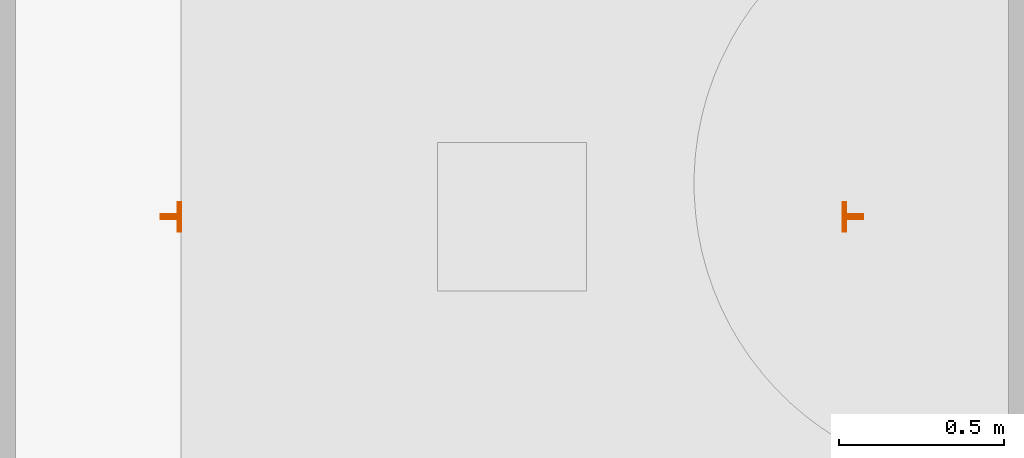
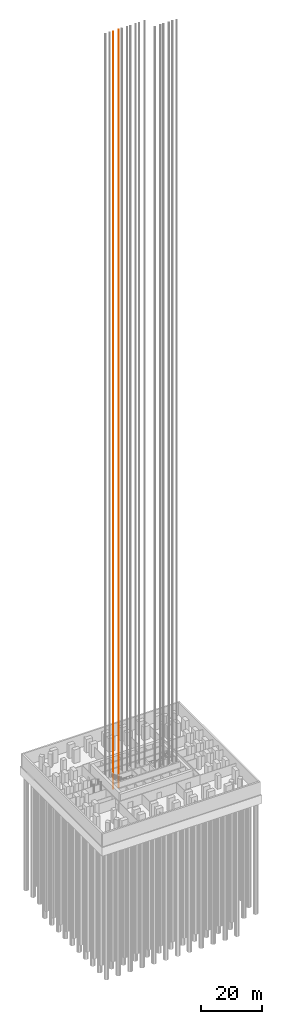
# One storey, part 10 of 17: 1 proxy.
"""IFC4 building model written with IfcOpenShell, lengths in metres."""

import ifcopenshell
import ifcopenshell.guid

model = None  # the IFC model being written
_history = None  # IfcOwnerHistory: only IFC2X3 demands one
_inside = {}  # id of a spatial element -> (the spatial element, [elements in it])
_under = {}  # id of a project, library or spatial element -> (it, [spatial elements below it])
_declared = {}  # id of a project -> (the project, [libraries it declares])
_typed = {}  # id of a type object -> (the type object, [elements of that type])
_made_of = {}  # id of a material, layer set ... -> (it, [elements and type objects made of it])


def new_model(schema):
    """Start an empty IFC model of exactly this schema.

    Asked for "IFC4X3", IfcOpenShell would pick the latest addendum, in which some entities
    have other attributes; the version numbers below select the first issue.
    IFC2X3 requires an IfcOwnerHistory on every rooted entity: one is made here for all.
    """
    global model, _history
    if schema == "IFC4X3":
        model = ifcopenshell.file(schema_version=(4, 3, 0, 0))
    else:
        model = ifcopenshell.file(schema=schema)
    _inside.clear()
    _under.clear()
    _declared.clear()
    _typed.clear()
    _made_of.clear()
    _history = None
    if model.schema == "IFC2X3":
        org = make("IfcOrganization", Name="unknown")
        user = make(
            "IfcPersonAndOrganization",
            ThePerson=make("IfcPerson", FamilyName="unknown"),
            TheOrganization=org,
        )
        app = make(
            "IfcApplication",
            ApplicationDeveloper=org,
            Version="unknown",
            ApplicationFullName="unknown",
            ApplicationIdentifier="unknown",
        )
        _history = make(
            "IfcOwnerHistory",
            OwningUser=user,
            OwningApplication=app,
            ChangeAction="ADDED",
            CreationDate=0,
        )
    return model


def make(cls, **values):
    """One entity of the class cls with the attributes given. An attribute that is None is left unset."""
    return model.create_entity(
        cls, **{name: value for name, value in values.items() if value is not None}
    )


def rooted(cls, **values):
    """An entity with a GlobalId (a new one), such as an element, a storey or a relation."""
    return make(cls, GlobalId=ifcopenshell.guid.new(), OwnerHistory=_history, **values)


def si_unit(unit_type, name, prefix=None):
    """IfcSIUnit, for example si_unit("LENGTHUNIT", "METRE", prefix="MILLI")."""
    return make("IfcSIUnit", UnitType=unit_type, Prefix=prefix, Name=name)


def assignment(units):
    """IfcUnitAssignment: the units of a project."""
    return None if units is None else make("IfcUnitAssignment", Units=units)


def point(xyz):
    """IfcCartesianPoint."""
    return None if xyz is None else make("IfcCartesianPoint", Coordinates=xyz)


def direction(xyz):
    """IfcDirection."""
    return None if xyz is None else make("IfcDirection", DirectionRatios=xyz)


def frame(location, z_axis=None, x_axis=None):
    """IfcAxis2Placement3D, a coordinate frame: its origin and axes. An axis left out is left unset."""
    return make(
        "IfcAxis2Placement3D",
        Location=point(location),
        Axis=direction(z_axis),
        RefDirection=direction(x_axis),
    )


def frame_2d(location, x_axis=None):
    """IfcAxis2Placement2D, a coordinate frame in the plane: its origin and x axis."""
    return make(
        "IfcAxis2Placement2D", Location=point(location), RefDirection=direction(x_axis)
    )


def origin():
    """The frame at (0, 0, 0) with its axes left unset."""
    return frame((0.0, 0.0, 0.0))


def origin_2d():
    """The frame at (0, 0) in the plane with its x axis left unset."""
    return frame_2d((0.0, 0.0))


def place(relative_to, where):
    """IfcLocalPlacement: puts the frame where relative to a parent placement (None: the world)."""
    return make(
        "IfcLocalPlacement", PlacementRelTo=relative_to, RelativePlacement=where
    )


def context(
    kind, dimensions, precision=None, world=None, true_north=None, identifier=None
):
    """IfcGeometricRepresentationContext, for example the 3D "Model" context."""
    return make(
        "IfcGeometricRepresentationContext",
        ContextIdentifier=identifier,
        ContextType=kind,
        CoordinateSpaceDimension=dimensions,
        Precision=precision,
        WorldCoordinateSystem=world,
        TrueNorth=true_north,
    )


def subcontext(parent, identifier, kind, view, scale=None):
    """IfcGeometricRepresentationSubContext, for example "Body" below "Model"."""
    return make(
        "IfcGeometricRepresentationSubContext",
        ContextIdentifier=identifier,
        ContextType=kind,
        ParentContext=parent,
        TargetScale=scale,
        TargetView=view,
    )


def project(units=None, contexts=None):
    """IfcProject with its units and contexts."""
    return rooted(
        "IfcProject",
        Name="project",
        RepresentationContexts=contexts,
        UnitsInContext=assignment(units),
    )


def spatial(cls, under=None, at=None, **own):
    """A site, building, storey or space (cls), placed at a placement, below another one or the project."""
    s = rooted(cls, ObjectPlacement=at, **own)
    if under is not None:
        _under.setdefault(under.id(), (under, []))[1].append(s)
    return s


def profile(cls, at=None, kind="AREA", **sizes):
    """A parametric profile (cls). Its sizes go by their IFC names, for example OverallWidth=200.0."""
    return make(cls, ProfileType=kind, Position=at, **sizes)


def t_section(**sizes):
    """IfcTShapeProfileDef."""
    return profile("IfcTShapeProfileDef", **sizes)


def extrude(swept, where, along, depth):
    """IfcExtrudedAreaSolid: the profile swept, set in the frame where, extruded along a direction by depth."""
    return make(
        "IfcExtrudedAreaSolid",
        SweptArea=swept,
        Position=where,
        ExtrudedDirection=direction(along),
        Depth=depth,
    )


def shape(context_of_items, identifier, shape_type, items):
    """IfcShapeRepresentation: the items that make up one representation, for example the "Body"."""
    return make(
        "IfcShapeRepresentation",
        ContextOfItems=context_of_items,
        RepresentationIdentifier=identifier,
        RepresentationType=shape_type,
        Items=items,
    )


def material(Name=None, Category=None):
    """IfcMaterial."""
    return make("IfcMaterial", Name=Name, Category=Category)


def made_of(thing, what):
    """Note that an element or type object is made of a material, layer set ...; save() writes the relation."""
    if what is not None:
        _made_of.setdefault(what.id(), (what, []))[1].append(thing)
    return thing


def type_object(cls, material=None, **own):
    """A type object (cls), such as IfcWallType, which elements share."""
    return made_of(rooted(cls, **own), material)


def element(
    cls,
    number,
    at=None,
    inside=None,
    cuts=None,
    type_object=None,
    material=None,
    context=None,
    identifier="Body",
    shape_type=None,
    held_by="IfcProductDefinitionShape",
    body=None,
    shapes=None,
    **own,
):
    """One element of the class cls, such as IfcWall. Its Tag is "e" and its number.

    at: its placement. inside: the storey or other place that contains it. cuts: it is an
    opening in that element (IfcRelVoidsElement). A single representation is given by context,
    identifier, shape_type and body (its items); several are given by shapes. held_by: the class
    of the entity that holds the representations. save() writes the other relations.
    """
    e = rooted(cls, Tag="e%d" % number, ObjectPlacement=at, **own)
    if body is not None:
        shapes = [shape(context, identifier, shape_type, body)]
    if shapes is not None:
        e.Representation = make(held_by, Representations=shapes)
    if inside is not None:
        _inside.setdefault(inside.id(), (inside, []))[1].append(e)
    if cuts is not None:
        rooted(
            "IfcRelVoidsElement", RelatingBuildingElement=cuts, RelatedOpeningElement=e
        )
    if type_object is not None:
        _typed.setdefault(type_object.id(), (type_object, []))[1].append(e)
    return made_of(e, material)


def aggregate(whole, parts):
    """IfcRelAggregates: a whole, such as a stair, and the parts it consists of."""
    return rooted("IfcRelAggregates", RelatingObject=whole, RelatedObjects=parts)


def save(model, path):
    """Write the relations noted so far, then the file.

    IfcRelAggregates (storeys below a building ...), IfcRelContainedInSpatialStructure (elements
    in a storey), IfcRelDefinesByType, IfcRelAssociatesMaterial and IfcRelDeclares: one each for
    every whole, place, type object, material and project.
    """
    for whole, parts in _under.values():
        aggregate(whole, parts)
    for where, things in _inside.values():
        rooted(
            "IfcRelContainedInSpatialStructure",
            RelatedElements=things,
            RelatingStructure=where,
        )
    for kind, things in _typed.values():
        rooted("IfcRelDefinesByType", RelatedObjects=things, RelatingType=kind)
    for what, things in _made_of.values():
        rooted("IfcRelAssociatesMaterial", RelatedObjects=things, RelatingMaterial=what)
    for by, libraries in _declared.values():
        rooted("IfcRelDeclares", RelatingContext=by, RelatedDefinitions=libraries)
    model.write(path)


model = new_model("IFC4")

# Units and contexts
model_context = context("Model", 3, precision=1e-05, world=origin(), true_north=direction((0.0, 1.0)))
body_context = subcontext(model_context, "Body", "Model", "MODEL_VIEW")
ifc_project = project(units=[si_unit("LENGTHUNIT", "METRE"), si_unit("AREAUNIT", "SQUARE_METRE"), si_unit("VOLUMEUNIT", "CUBIC_METRE"), si_unit("PLANEANGLEUNIT", "RADIAN"), si_unit("MASSUNIT", "GRAM", prefix="KILO")], contexts=[model_context])

# Site, building, storey
site_placement = place(None, origin())
site = spatial("IfcSite", under=ifc_project, at=site_placement, CompositionType="ELEMENT")
building_placement = place(site_placement, origin())
building = spatial("IfcBuilding", under=site, at=building_placement, Name="Cobogo Forest Laboratory Tower", CompositionType="ELEMENT")
storey_placement = place(building_placement, frame((0.0, 0.0, -5.39990234375)))
storey = spatial("IfcBuildingStorey", under=building, at=storey_placement, Name="L-01", CompositionType="ELEMENT", Elevation=-5.39990234375)

# Proxy
ifc_material = material(Name="Steel guide rail", Category="steel")
building_element_proxy_type = type_object("IfcBuildingElementProxyType", Name="LR lift guide rails", PredefinedType="USERDEFINED", material=ifc_material)
proxy_placement = place(storey_placement, frame((18.199951171875, 25.25, 0.0)))
element("IfcBuildingElementProxy", 1, at=proxy_placement, inside=storey, type_object=building_element_proxy_type, Name="LS3 guide rails", ObjectType="LIFT GUIDE RAILS", PredefinedType="USERDEFINED", context=body_context, shape_type="SweptSolid", body=[
    extrude(t_section(Depth=0.062, FlangeWidth=0.089, WebThickness=0.0159, FlangeThickness=0.01, at=origin_2d()), frame((-1.031005859375, 0.0, -1.60009765625), z_axis=(0.0, 0.0, 1.0), x_axis=(0.0, -1.0, 0.0)), (0.0, 0.0, 1.0), 303.800048828125),
    extrude(t_section(Depth=0.062, FlangeWidth=0.089, WebThickness=0.0159, FlangeThickness=0.01, at=origin_2d()), frame((1.031005859375, 0.0, -1.60009765625), z_axis=(0.0, 0.0, 1.0), x_axis=(0.0, 1.0, 0.0)), (0.0, 0.0, 1.0), 303.800048828125),
])

save(model, "model.ifc")
